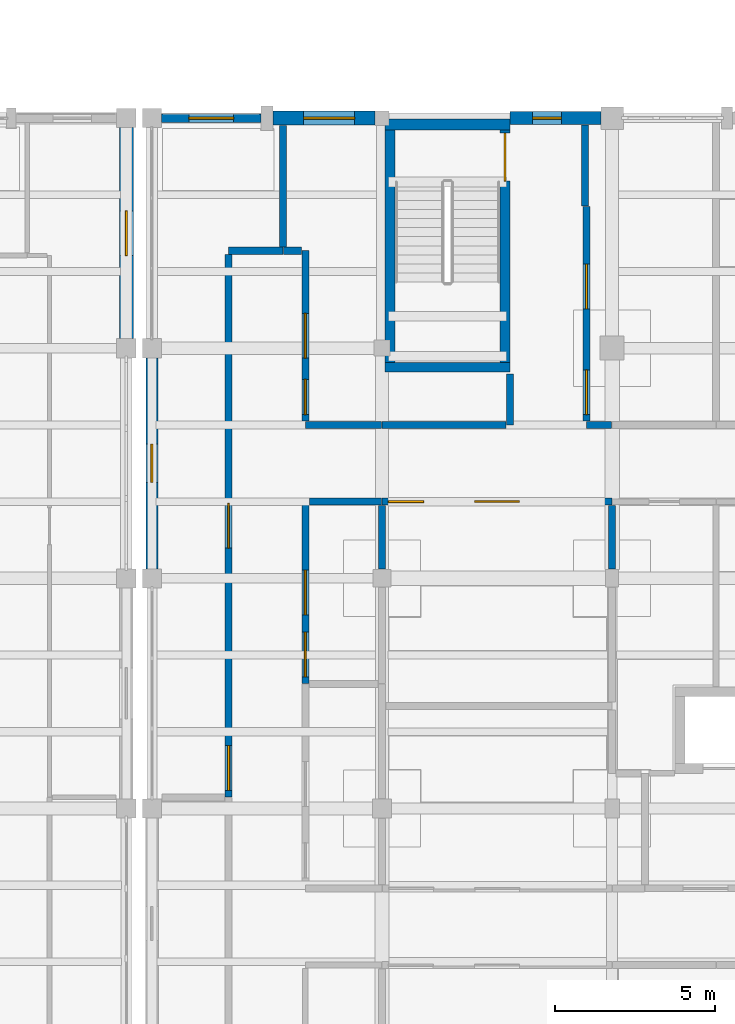
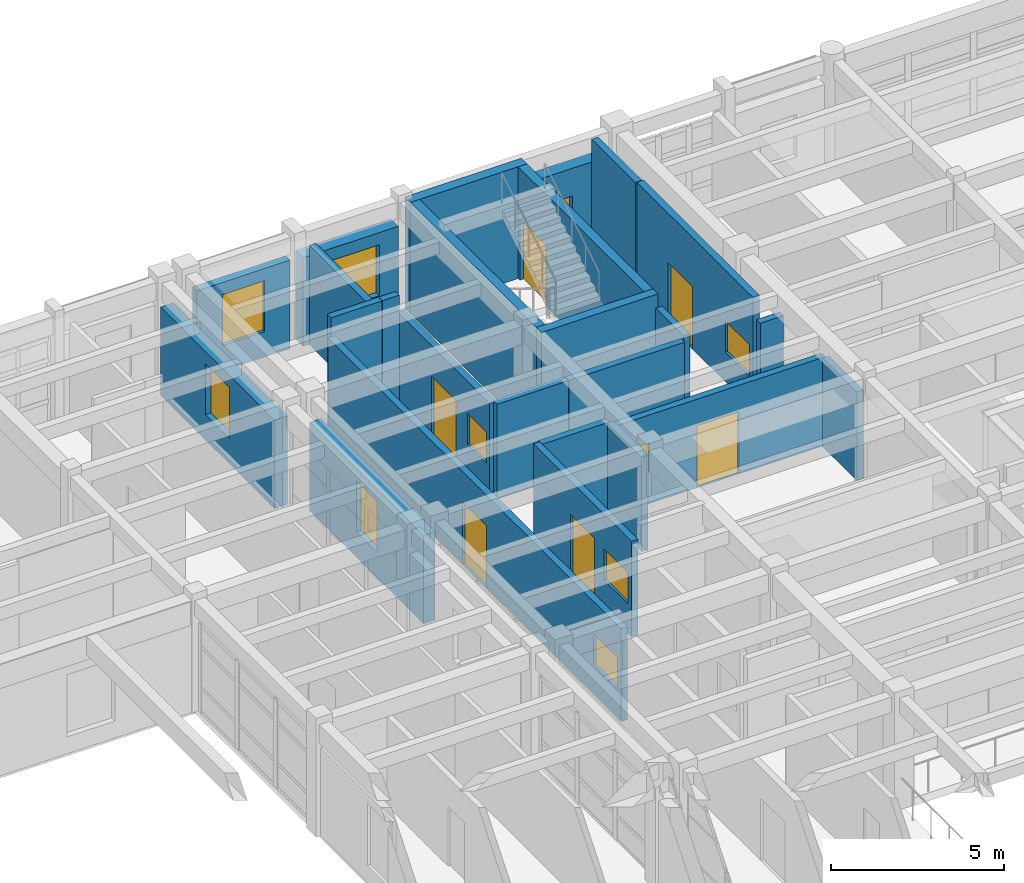
# One storey, part 91 of 110: 25 walls, 10 windows, 6 doors, 16 openings.
"""IFC4 building model written with IfcOpenShell, lengths in metres."""

from ifc_helpers import new_model, si_unit, direction, frame, frame_2d, origin, place, context, subcontext, project, spatial, rectangle, extrude, material, layer, layer_set, type_object, element, fill, save


model = new_model("IFC4")

# Units and contexts
model_context = context("Model", 3, precision=1e-05, world=origin(), true_north=direction((0.0, 1.0)))
body_context = subcontext(model_context, "Body", "Model", "MODEL_VIEW")
ifc_project = project(units=[si_unit("LENGTHUNIT", "METRE"), si_unit("AREAUNIT", "SQUARE_METRE"), si_unit("VOLUMEUNIT", "CUBIC_METRE"), si_unit("PLANEANGLEUNIT", "RADIAN"), si_unit("MASSUNIT", "GRAM", prefix="KILO")], contexts=[model_context])

# Site, building, storey
site_placement = place(None, origin())
site = spatial("IfcSite", under=ifc_project, at=site_placement, CompositionType="ELEMENT")
building_placement = place(site_placement, origin())
building = spatial("IfcBuilding", under=site, at=building_placement, Name="Steenspoor Specialist Clinic", CompositionType="ELEMENT")
storey_placement = place(building_placement, frame((0.0, 0.0, 4.800048828125)))
storey = spatial("IfcBuildingStorey", under=building, at=storey_placement, Name="L01", CompositionType="ELEMENT", Elevation=4.800048828125)

# Wall, opening, window
ifc_material_1 = material(Name="Extruded clay brick masonry", Category="masonry")
ifc_layer_1 = layer(ifc_material_1, 0.3798828125)
ifc_layer_set_1 = layer_set([ifc_layer_1], Name="Extruded clay brick masonry")
wall_type_1 = type_object("IfcWallType", Name="W-BRICK-380", PredefinedType="USERDEFINED", material=ifc_layer_set_1)
wall_1_placement = place(storey_placement, frame((118.0, 94.25, 0.0), z_axis=(0.0, 0.0, 1.0), x_axis=(0.0, 1.0, 0.0)))
wall_1 = element("IfcWall", 1, at=wall_1_placement, inside=storey, type_object=wall_type_1, Name="Exterior Brick Wall EW-V6-L01-0317", ObjectType="CAVITY VENEER", PredefinedType="USERDEFINED", context=body_context, shape_type="SweptSolid", body=[
    extrude(rectangle(XDim=6.60009765625, YDim=0.3798828125, at=frame_2d((3.300048828125, 0.0))), origin(), (0.0, 0.0, 1.0), 3.1298828125),
])
opening_1_placement = place(wall_1_placement, frame((2.699951171875, 0.0, 0.89990234375)))
opening_1 = element("IfcOpeningElement", 2, at=opening_1_placement, cuts=wall_1, Name="Opening WN-05", PredefinedType="OPENING", context=body_context, shape_type="SweptSolid", body=[
    extrude(rectangle(XDim=1.199951171875, YDim=1.800048828125, at=frame_2d((0.60009765625, 0.89990234375))), frame((0.0, 0.199951171875, 0.0), z_axis=(0.0, -1.0, 0.0), x_axis=(1.0, 0.0, 0.0)), (0.0, 0.0, 1.0), 0.39990234375),
])
ifc_material_2 = material(Name="Thermally broken aluminium and low-emissivity glass", Category="aluminium")
window_type_1 = type_object("IfcWindowType", Name="WN-EXT-120X180", PartitioningType="SINGLE_PANEL", PredefinedType="WINDOW", material=ifc_material_2)
window_1_placement = place(opening_1_placement, origin())
window_1 = element("IfcWindow", 3, at=window_1_placement, inside=storey, type_object=window_type_1, Name="Window 0340", OverallHeight=1.800048828125, OverallWidth=1.199951171875, PartitioningType="SINGLE_PANEL", PredefinedType="WINDOW", context=body_context, shape_type="SweptSolid", body=[
    extrude(rectangle(XDim=1.199951171875, YDim=1.800048828125, at=frame_2d((0.60009765625, 0.89990234375))), frame((0.0, 0.030029296875, 0.0), z_axis=(0.0, -1.0, 0.0), x_axis=(1.0, 0.0, 0.0)), (0.0, 0.0, 1.0), 0.06005859375),
])
fill(opening_1, window_1)

ifc_layer_2 = layer(ifc_material_1, 0.409912109375)
ifc_layer_set_2 = layer_set([ifc_layer_2], Name="Extruded clay brick masonry")
wall_type_2 = type_object("IfcWallType", Name="W-BRICK-410", PredefinedType="USERDEFINED", material=ifc_layer_set_2)
wall_2_placement = place(storey_placement, frame((129.199951171875, 108.35009765625, 0.0), z_axis=(0.0, 0.0, 1.0), x_axis=(1.0, 0.0, 0.0)))
wall_2 = element("IfcWall", 4, at=wall_2_placement, inside=storey, type_object=wall_type_2, Name="Exterior Brick Wall EW-V6-L01-0320", ObjectType="CAVITY VENEER", PredefinedType="USERDEFINED", context=body_context, shape_type="SweptSolid", body=[
    extrude(rectangle(XDim=2.85009765625, YDim=0.409912109375, at=frame_2d((1.425048828125, 0.0))), origin(), (0.0, 0.0, 1.0), 3.1298828125),
])
opening_2_placement = place(wall_2_placement, frame((0.715087890625, 0.0, 0.949951171875)))
opening_2 = element("IfcOpeningElement", 5, at=opening_2_placement, cuts=wall_2, Name="Opening WN-21", PredefinedType="OPENING", context=body_context, shape_type="SweptSolid", body=[
    extrude(rectangle(XDim=0.89990234375, YDim=1.199951171875, at=frame_2d((0.449951171875, 0.60009765625))), frame((0.0, 0.21484375, 0.0), z_axis=(0.0, -1.0, 0.0), x_axis=(1.0, 0.0, 0.0)), (0.0, 0.0, 1.0), 0.429931640625),
])
window_type_2 = type_object("IfcWindowType", Name="WN-EXT-090X120", PartitioningType="SINGLE_PANEL", PredefinedType="WINDOW", material=ifc_material_2)
window_2_placement = place(opening_2_placement, origin())
window_2 = element("IfcWindow", 6, at=window_2_placement, inside=storey, type_object=window_type_2, Name="Window 0343", OverallHeight=1.199951171875, OverallWidth=0.89990234375, PartitioningType="SINGLE_PANEL", PredefinedType="WINDOW", context=body_context, shape_type="SweptSolid", body=[
    extrude(rectangle(XDim=0.89990234375, YDim=1.199951171875, at=frame_2d((0.449951171875, 0.60009765625))), frame((0.0, 0.030029296875, 0.0), z_axis=(0.0, -1.0, 0.0), x_axis=(1.0, 0.0, 0.0)), (0.0, 0.0, 1.0), 0.06005859375),
])
fill(opening_2, window_2)

ifc_layer_3 = layer(ifc_material_1, 0.43994140625)
ifc_layer_set_3 = layer_set([ifc_layer_3], Name="Extruded clay brick masonry")
wall_type_3 = type_object("IfcWallType", Name="W-BRICK-440", PredefinedType="USERDEFINED", material=ifc_layer_set_3)
wall_3_placement = place(storey_placement, frame((117.199951171875, 108.050048828125, 0.0), z_axis=(0.0, 0.0, 1.0), x_axis=(0.0, -1.0, 0.0)))
wall_3 = element("IfcWall", 7, at=wall_3_placement, inside=storey, type_object=wall_type_3, Name="Exterior Brick Wall EW-V4-L01-0127", ObjectType="CAVITY VENEER", PredefinedType="USERDEFINED", context=body_context, shape_type="SweptSolid", body=[
    extrude(rectangle(XDim=6.60009765625, YDim=0.43994140625, at=frame_2d((3.300048828125, 0.0))), origin(), (0.0, 0.0, 1.0), 3.1298828125),
])
opening_3_placement = place(wall_3_placement, frame((2.60009765625, 0.0, 0.89990234375)))
opening_3 = element("IfcOpeningElement", 8, at=opening_3_placement, cuts=wall_3, Name="Opening WN-06", PredefinedType="OPENING", context=body_context, shape_type="SweptSolid", body=[
    extrude(rectangle(XDim=1.39990234375, YDim=1.800048828125, at=frame_2d((0.699951171875, 0.89990234375))), frame((0.0, 0.22998046875, 0.0), z_axis=(0.0, -1.0, 0.0), x_axis=(1.0, 0.0, 0.0)), (0.0, 0.0, 1.0), 0.4599609375),
])
window_type_3 = type_object("IfcWindowType", Name="WN-EXT-140X180", PartitioningType="SINGLE_PANEL", PredefinedType="WINDOW", material=ifc_material_2)
window_3_placement = place(opening_3_placement, origin())
window_3 = element("IfcWindow", 9, at=window_3_placement, inside=storey, type_object=window_type_3, Name="Window 0149", OverallHeight=1.800048828125, OverallWidth=1.39990234375, PartitioningType="SINGLE_PANEL", PredefinedType="WINDOW", context=body_context, shape_type="SweptSolid", body=[
    extrude(rectangle(XDim=1.39990234375, YDim=1.800048828125, at=frame_2d((0.699951171875, 0.89990234375))), frame((0.0, 0.030029296875, 0.0), z_axis=(0.0, -1.0, 0.0), x_axis=(1.0, 0.0, 0.0)), (0.0, 0.0, 1.0), 0.06005859375),
])
fill(opening_3, window_3)

wall_4_placement = place(storey_placement, frame((121.7900390625, 108.35009765625, 0.0), z_axis=(0.0, 0.0, 1.0), x_axis=(1.0, 0.0, 0.0)))
wall_4 = element("IfcWall", 10, at=wall_4_placement, inside=storey, type_object=wall_type_3, Name="Exterior Brick Wall EW-V6-L01-0319", ObjectType="CAVITY VENEER", PredefinedType="USERDEFINED", context=body_context, shape_type="SweptSolid", body=[
    extrude(rectangle(XDim=3.18505859375, YDim=0.43994140625, at=frame_2d((1.592529296875, 0.0))), origin(), (0.0, 0.0, 1.0), 3.1298828125),
])
opening_4_placement = place(wall_4_placement, frame((0.95751953125, 0.0, 0.89990234375)))
opening_4 = element("IfcOpeningElement", 11, at=opening_4_placement, cuts=wall_4, Name="Opening WN-07", PredefinedType="OPENING", context=body_context, shape_type="SweptSolid", body=[
    extrude(rectangle(XDim=1.60009765625, YDim=1.800048828125, at=frame_2d((0.800048828125, 0.89990234375))), frame((0.0, 0.22998046875, 0.0), z_axis=(0.0, -1.0, 0.0), x_axis=(1.0, 0.0, 0.0)), (0.0, 0.0, 1.0), 0.4599609375),
])
window_type_4 = type_object("IfcWindowType", Name="WN-EXT-160X180", PartitioningType="SINGLE_PANEL", PredefinedType="WINDOW", material=ifc_material_2)
window_4_placement = place(opening_4_placement, origin())
window_4 = element("IfcWindow", 12, at=window_4_placement, inside=storey, type_object=window_type_4, Name="Window 0342", OverallHeight=1.800048828125, OverallWidth=1.60009765625, PartitioningType="SINGLE_PANEL", PredefinedType="WINDOW", context=body_context, shape_type="SweptSolid", body=[
    extrude(rectangle(XDim=1.60009765625, YDim=1.800048828125, at=frame_2d((0.800048828125, 0.89990234375))), frame((0.0, 0.030029296875, 0.0), z_axis=(0.0, -1.0, 0.0), x_axis=(1.0, 0.0, 0.0)), (0.0, 0.0, 1.0), 0.06005859375),
])
fill(opening_4, window_4)

# Walls
ifc_material_3 = material(Name="Concrete C40/50", Category="concrete")
ifc_layer_4 = layer(ifc_material_3, 0.330078125)
ifc_layer_set_4 = layer_set([ifc_layer_4], Name="Concrete C40/50")
wall_type_4 = type_object("IfcWallType", Name="W-ESW-330", PredefinedType="SHEAR", material=ifc_layer_set_4)
wall_5_placement = place(storey_placement, frame((125.300048828125, 108.14990234375, 0.0), z_axis=(0.0, 0.0, 1.0), x_axis=(1.0, 0.0, 0.0)))
element("IfcWall", 13, at=wall_5_placement, inside=storey, type_object=wall_type_4, Name="Core Shear Wall SW-ST-V6A-L01-N", PredefinedType="SHEAR", context=body_context, shape_type="SweptSolid", body=[
    extrude(rectangle(XDim=3.89990234375, YDim=0.330078125, at=frame_2d((1.949951171875, 0.0))), origin(), (0.0, 0.0, 1.0), 3.949951171875),
])
ifc_material_4 = material(Name="Fire-rated clay blockwork masonry", Category="masonry")
ifc_layer_5 = layer(ifc_material_4, 0.219970703125)
ifc_layer_set_5 = layer_set([ifc_layer_5], Name="Fire-rated clay blockwork masonry")
wall_type_5 = type_object("IfcWallType", Name="W-FIRE-220", PredefinedType="PARTITIONING", material=ifc_layer_set_5)
wall_6_placement = place(storey_placement, frame((120.39990234375, 104.199951171875, 0.0), z_axis=(0.0, 0.0, 1.0), x_axis=(1.0, 0.0, 0.0)))
element("IfcWall", 14, at=wall_6_placement, inside=storey, type_object=wall_type_5, Name="Interior Partition IW-V6-L01-0720", PredefinedType="PARTITIONING", context=body_context, shape_type="SweptSolid", body=[
    extrude(rectangle(XDim=1.7001953125, YDim=0.219970703125, at=frame_2d((0.85009765625, 0.0))), origin(), (0.0, 0.0, 1.0), 3.949951171875),
])

# Wall, openings, door, window
wall_7_placement = place(storey_placement, frame((120.39990234375, 87.114990234375, 0.0), z_axis=(0.0, 0.0, 1.0), x_axis=(0.0, 1.0, 0.0)))
wall_7 = element("IfcWall", 15, at=wall_7_placement, inside=storey, type_object=wall_type_5, Name="Interior Partition IW-V6-L01-0721", PredefinedType="PARTITIONING", context=body_context, shape_type="SweptSolid", body=[
    extrude(rectangle(XDim=16.9599609375, YDim=0.219970703125, at=frame_2d((8.47998046875, 0.0))), origin(), (0.0, 0.0, 1.0), 3.284912109375),
])
opening_5_placement = place(wall_7_placement, frame((7.780029296875, 0.0, 0.0)))
opening_5 = element("IfcOpeningElement", 16, at=opening_5_placement, cuts=wall_7, Name="Opening D0445", PredefinedType="OPENING", context=body_context, shape_type="SweptSolid", body=[
    extrude(rectangle(XDim=1.39990234375, YDim=2.199951171875, at=frame_2d((0.699951171875, 1.10009765625))), frame((0.0, 0.1201171875, 0.0), z_axis=(0.0, -1.0, 0.0), x_axis=(1.0, 0.0, 0.0)), (0.0, 0.0, 1.0), 0.239990234375),
])
opening_6_placement = place(wall_7_placement, frame((0.199951171875, 0.0, 1.050048828125)))
opening_6 = element("IfcOpeningElement", 17, at=opening_6_placement, cuts=wall_7, Name="Opening IWN-01", PredefinedType="OPENING", context=body_context, shape_type="SweptSolid", body=[
    extrude(rectangle(XDim=1.39990234375, YDim=1.10009765625, at=frame_2d((0.699951171875, 0.550048828125))), frame((0.0, 0.1201171875, 0.0), z_axis=(0.0, -1.0, 0.0), x_axis=(1.0, 0.0, 0.0)), (0.0, 0.0, 1.0), 0.239990234375),
])
ifc_material_5 = material(Name="Fire-rated clinical laminate door", Category="steel")
door_type_1 = type_object("IfcDoorType", Name="DT-LAB-140X220", OperationType="NOTDEFINED", PredefinedType="DOOR", material=ifc_material_5)
door_1_placement = place(opening_5_placement, origin())
door_1 = element("IfcDoor", 18, at=door_1_placement, inside=storey, type_object=door_type_1, Name="Clinical Door D0445", OperationType="SINGLE_SWING_RIGHT", OverallHeight=2.199951171875, OverallWidth=1.39990234375, PredefinedType="DOOR", context=body_context, shape_type="SweptSolid", body=[
    extrude(rectangle(XDim=1.39990234375, YDim=2.199951171875, at=frame_2d((0.699951171875, 1.10009765625))), frame((0.0, 0.02490234375, 0.0), z_axis=(0.0, -1.0, 0.0), x_axis=(1.0, 0.0, 0.0)), (0.0, 0.0, 1.0), 0.050048828125),
])
fill(opening_5, door_1)
window_type_5 = type_object("IfcWindowType", Name="IWND-OBS-140X110", PartitioningType="SINGLE_PANEL", PredefinedType="WINDOW", material=ifc_material_2)
window_5_placement = place(opening_6_placement, origin())
window_5 = element("IfcWindow", 19, at=window_5_placement, inside=storey, type_object=window_type_5, Name="Observation Window 017", OverallHeight=1.10009765625, OverallWidth=1.39990234375, PartitioningType="SINGLE_PANEL", PredefinedType="WINDOW", context=body_context, shape_type="SweptSolid", body=[
    extrude(rectangle(XDim=1.39990234375, YDim=1.10009765625, at=frame_2d((0.699951171875, 0.550048828125))), frame((0.0, 0.030029296875, 0.0), z_axis=(0.0, -1.0, 0.0), x_axis=(1.0, 0.0, 0.0)), (0.0, 0.0, 1.0), 0.06005859375),
])
fill(opening_6, window_5)

wall_8_placement = place(storey_placement, frame((125.199951171875, 96.35009765625, 0.0), z_axis=(0.0, 0.0, 1.0), x_axis=(1.0, 0.0, 0.0)))
wall_8 = element("IfcWall", 20, at=wall_8_placement, inside=storey, type_object=wall_type_5, Name="Interior Partition IW-V6-L01-0722", PredefinedType="PARTITIONING", context=body_context, shape_type="SweptSolid", body=[
    extrude(rectangle(XDim=7.199951171875, YDim=0.219970703125, at=frame_2d((3.60009765625, 0.0))), origin(), (0.0, 0.0, 1.0), 3.135009765625),
])
opening_7_placement = place(wall_8_placement, frame((2.89990234375, 0.0, 0.0)))
opening_7 = element("IfcOpeningElement", 21, at=opening_7_placement, cuts=wall_8, Name="Opening D0447", PredefinedType="OPENING", context=body_context, shape_type="SweptSolid", body=[
    extrude(rectangle(XDim=1.39990234375, YDim=2.199951171875, at=frame_2d((0.699951171875, 1.10009765625))), frame((0.0, 0.1201171875, 0.0), z_axis=(0.0, -1.0, 0.0), x_axis=(1.0, 0.0, 0.0)), (0.0, 0.0, 1.0), 0.239990234375),
])
opening_8_placement = place(wall_8_placement, frame((0.199951171875, 0.0, 1.050048828125)))
opening_8 = element("IfcOpeningElement", 22, at=opening_8_placement, cuts=wall_8, Name="Opening IWN-02", PredefinedType="OPENING", context=body_context, shape_type="SweptSolid", body=[
    extrude(rectangle(XDim=1.10009765625, YDim=1.10009765625, at=frame_2d((0.550048828125, 0.550048828125))), frame((0.0, 0.1201171875, 0.0), z_axis=(0.0, -1.0, 0.0), x_axis=(1.0, 0.0, 0.0)), (0.0, 0.0, 1.0), 0.239990234375),
])
door_2_placement = place(opening_7_placement, origin())
door_2 = element("IfcDoor", 23, at=door_2_placement, inside=storey, type_object=door_type_1, Name="Clinical Door D0447", OperationType="SINGLE_SWING_RIGHT", OverallHeight=2.199951171875, OverallWidth=1.39990234375, PredefinedType="DOOR", context=body_context, shape_type="SweptSolid", body=[
    extrude(rectangle(XDim=1.39990234375, YDim=2.199951171875, at=frame_2d((0.699951171875, 1.10009765625))), frame((0.0, 0.02490234375, 0.0), z_axis=(0.0, -1.0, 0.0), x_axis=(1.0, 0.0, 0.0)), (0.0, 0.0, 1.0), 0.050048828125),
])
fill(opening_7, door_2)
window_type_6 = type_object("IfcWindowType", Name="IWND-OBS-110X110", PartitioningType="SINGLE_PANEL", PredefinedType="WINDOW", material=ifc_material_2)
window_6_placement = place(opening_8_placement, origin())
window_6 = element("IfcWindow", 24, at=window_6_placement, inside=storey, type_object=window_type_6, Name="Observation Window 018", OverallHeight=1.10009765625, OverallWidth=1.10009765625, PartitioningType="SINGLE_PANEL", PredefinedType="WINDOW", context=body_context, shape_type="SweptSolid", body=[
    extrude(rectangle(XDim=1.10009765625, YDim=1.10009765625, at=frame_2d((0.550048828125, 0.550048828125))), frame((0.0, 0.030029296875, 0.0), z_axis=(0.0, -1.0, 0.0), x_axis=(1.0, 0.0, 0.0)), (0.0, 0.0, 1.0), 0.06005859375),
])
fill(opening_8, window_6)

wall_9_placement = place(storey_placement, frame((122.800048828125, 90.6650390625, 0.0), z_axis=(0.0, 0.0, 1.0), x_axis=(0.0, 1.0, 0.0)))
wall_9 = element("IfcWall", 25, at=wall_9_placement, inside=storey, type_object=wall_type_5, Name="Interior Partition IW-V6-L01-0723", PredefinedType="PARTITIONING", context=body_context, shape_type="SweptSolid", body=[
    extrude(rectangle(XDim=5.68505859375, YDim=0.219970703125, at=frame_2d((2.842529296875, 0.0))), origin(), (0.0, 0.0, 1.0), 3.385009765625),
])
opening_9_placement = place(wall_9_placement, frame((2.142578125, 0.0, 0.0)))
opening_9 = element("IfcOpeningElement", 26, at=opening_9_placement, cuts=wall_9, Name="Opening D0448", PredefinedType="OPENING", context=body_context, shape_type="SweptSolid", body=[
    extrude(rectangle(XDim=1.39990234375, YDim=2.199951171875, at=frame_2d((0.699951171875, 1.10009765625))), frame((0.0, 0.1201171875, 0.0), z_axis=(0.0, -1.0, 0.0), x_axis=(1.0, 0.0, 0.0)), (0.0, 0.0, 1.0), 0.239990234375),
])
opening_10_placement = place(wall_9_placement, frame((0.199951171875, 0.0, 1.050048828125)))
opening_10 = element("IfcOpeningElement", 27, at=opening_10_placement, cuts=wall_9, Name="Opening IWN-01", PredefinedType="OPENING", context=body_context, shape_type="SweptSolid", body=[
    extrude(rectangle(XDim=1.39990234375, YDim=1.10009765625, at=frame_2d((0.699951171875, 0.550048828125))), frame((0.0, 0.1201171875, 0.0), z_axis=(0.0, -1.0, 0.0), x_axis=(1.0, 0.0, 0.0)), (0.0, 0.0, 1.0), 0.239990234375),
])
door_3_placement = place(opening_9_placement, origin())
door_3 = element("IfcDoor", 28, at=door_3_placement, inside=storey, type_object=door_type_1, Name="Clinical Door D0448", OperationType="SINGLE_SWING_LEFT", OverallHeight=2.199951171875, OverallWidth=1.39990234375, PredefinedType="DOOR", context=body_context, shape_type="SweptSolid", body=[
    extrude(rectangle(XDim=1.39990234375, YDim=2.199951171875, at=frame_2d((0.699951171875, 1.10009765625))), frame((0.0, 0.02490234375, 0.0), z_axis=(0.0, -1.0, 0.0), x_axis=(1.0, 0.0, 0.0)), (0.0, 0.0, 1.0), 0.050048828125),
])
fill(opening_9, door_3)
window_7_placement = place(opening_10_placement, origin())
window_7 = element("IfcWindow", 29, at=window_7_placement, inside=storey, type_object=window_type_5, Name="Observation Window 019", OverallHeight=1.10009765625, OverallWidth=1.39990234375, PartitioningType="SINGLE_PANEL", PredefinedType="WINDOW", context=body_context, shape_type="SweptSolid", body=[
    extrude(rectangle(XDim=1.39990234375, YDim=1.10009765625, at=frame_2d((0.699951171875, 0.550048828125))), frame((0.0, 0.030029296875, 0.0), z_axis=(0.0, -1.0, 0.0), x_axis=(1.0, 0.0, 0.0)), (0.0, 0.0, 1.0), 0.06005859375),
])
fill(opening_10, window_7)

# Walls
wall_10_placement = place(storey_placement, frame((122.925048828125, 96.35009765625, 0.0), z_axis=(0.0, 0.0, 1.0), x_axis=(1.0, 0.0, 0.0)))
element("IfcWall", 30, at=wall_10_placement, inside=storey, type_object=wall_type_5, Name="Interior Partition IW-V6-L01-0724", PredefinedType="PARTITIONING", context=body_context, shape_type="SweptSolid", body=[
    extrude(rectangle(XDim=2.260009765625, YDim=0.219970703125, at=frame_2d((1.1298828125, 0.0))), origin(), (0.0, 0.0, 1.0), 3.35498046875),
])
wall_11_placement = place(storey_placement, frame((129.199951171875, 98.75, 0.0), z_axis=(0.0, 0.0, 1.0), x_axis=(0.0, 1.0, 0.0)))
element("IfcWall", 31, at=wall_11_placement, inside=storey, type_object=wall_type_5, Name="Interior Partition IW-V6-L01-0725", PredefinedType="PARTITIONING", context=body_context, shape_type="SweptSolid", body=[
    extrude(rectangle(XDim=1.60009765625, YDim=0.219970703125, at=frame_2d((0.800048828125, 0.0))), origin(), (0.0, 0.0, 1.0), 3.514892578125),
])
wall_12_placement = place(storey_placement, frame((125.199951171875, 98.75, 0.0), z_axis=(0.0, 0.0, 1.0), x_axis=(1.0, 0.0, 0.0)))
element("IfcWall", 32, at=wall_12_placement, inside=storey, type_object=wall_type_5, Name="Interior Partition IW-V6-L01-0726", PredefinedType="PARTITIONING", context=body_context, shape_type="SweptSolid", body=[
    extrude(rectangle(XDim=3.875, YDim=0.219970703125, at=frame_2d((1.9375, 0.0))), origin(), (0.0, 0.0, 1.0), 3.35498046875),
])
wall_13_placement = place(storey_placement, frame((122.800048828125, 98.75, 0.0), z_axis=(0.0, 0.0, 1.0), x_axis=(1.0, 0.0, 0.0)))
element("IfcWall", 33, at=wall_13_placement, inside=storey, type_object=wall_type_5, Name="Interior Partition IW-V6-L01-0727", PredefinedType="PARTITIONING", context=body_context, shape_type="SweptSolid", body=[
    extrude(rectangle(XDim=2.385009765625, YDim=0.219970703125, at=frame_2d((1.1923828125, 0.0))), origin(), (0.0, 0.0, 1.0), 3.35498046875),
])

# Wall, openings, door, window
wall_14_placement = place(storey_placement, frame((122.800048828125, 98.875, 0.0), z_axis=(0.0, 0.0, 1.0), x_axis=(0.0, 1.0, 0.0)))
wall_14 = element("IfcWall", 34, at=wall_14_placement, inside=storey, type_object=wall_type_5, Name="Interior Partition IW-V6-L01-0728", PredefinedType="PARTITIONING", context=body_context, shape_type="SweptSolid", body=[
    extrude(rectangle(XDim=5.324951171875, YDim=0.219970703125, at=frame_2d((2.66259765625, 0.0))), origin(), (0.0, 0.0, 1.0), 3.284912109375),
])
opening_11_placement = place(wall_14_placement, frame((1.96240234375, 0.0, 0.0)))
opening_11 = element("IfcOpeningElement", 35, at=opening_11_placement, cuts=wall_14, Name="Opening D0451", PredefinedType="OPENING", context=body_context, shape_type="SweptSolid", body=[
    extrude(rectangle(XDim=1.39990234375, YDim=2.199951171875, at=frame_2d((0.699951171875, 1.10009765625))), frame((0.0, 0.1201171875, 0.0), z_axis=(0.0, -1.0, 0.0), x_axis=(1.0, 0.0, 0.0)), (0.0, 0.0, 1.0), 0.239990234375),
])
opening_12_placement = place(wall_14_placement, frame((0.199951171875, 0.0, 1.050048828125)))
opening_12 = element("IfcOpeningElement", 36, at=opening_12_placement, cuts=wall_14, Name="Opening IWN-02", PredefinedType="OPENING", context=body_context, shape_type="SweptSolid", body=[
    extrude(rectangle(XDim=1.10009765625, YDim=1.10009765625, at=frame_2d((0.550048828125, 0.550048828125))), frame((0.0, 0.1201171875, 0.0), z_axis=(0.0, -1.0, 0.0), x_axis=(1.0, 0.0, 0.0)), (0.0, 0.0, 1.0), 0.239990234375),
])
door_4_placement = place(opening_11_placement, origin())
door_4 = element("IfcDoor", 37, at=door_4_placement, inside=storey, type_object=door_type_1, Name="Clinical Door D0451", OperationType="SINGLE_SWING_RIGHT", OverallHeight=2.199951171875, OverallWidth=1.39990234375, PredefinedType="DOOR", context=body_context, shape_type="SweptSolid", body=[
    extrude(rectangle(XDim=1.39990234375, YDim=2.199951171875, at=frame_2d((0.699951171875, 1.10009765625))), frame((0.0, 0.02490234375, 0.0), z_axis=(0.0, -1.0, 0.0), x_axis=(1.0, 0.0, 0.0)), (0.0, 0.0, 1.0), 0.050048828125),
])
fill(opening_11, door_4)
window_8_placement = place(opening_12_placement, origin())
window_8 = element("IfcWindow", 38, at=window_8_placement, inside=storey, type_object=window_type_6, Name="Observation Window 020", OverallHeight=1.10009765625, OverallWidth=1.10009765625, PartitioningType="SINGLE_PANEL", PredefinedType="WINDOW", context=body_context, shape_type="SweptSolid", body=[
    extrude(rectangle(XDim=1.10009765625, YDim=1.10009765625, at=frame_2d((0.550048828125, 0.550048828125))), frame((0.0, 0.030029296875, 0.0), z_axis=(0.0, -1.0, 0.0), x_axis=(1.0, 0.0, 0.0)), (0.0, 0.0, 1.0), 0.06005859375),
])
fill(opening_12, window_8)

# Walls
wall_15_placement = place(storey_placement, frame((122.114990234375, 104.199951171875, 0.0), z_axis=(0.0, 0.0, 1.0), x_axis=(1.0, 0.0, 0.0)))
element("IfcWall", 39, at=wall_15_placement, inside=storey, type_object=wall_type_5, Name="Interior Partition IW-V6-L01-0729", PredefinedType="PARTITIONING", context=body_context, shape_type="SweptSolid", body=[
    extrude(rectangle(XDim=0.56005859375, YDim=0.219970703125, at=frame_2d((0.280029296875, 0.0))), origin(), (0.0, 0.0, 1.0), 3.949951171875),
])
wall_16_placement = place(storey_placement, frame((131.550048828125, 105.60009765625, 0.0), z_axis=(0.0, 0.0, 1.0), x_axis=(0.0, 1.0, 0.0)))
element("IfcWall", 40, at=wall_16_placement, inside=storey, type_object=wall_type_5, Name="Interior Partition IW-V6-L01-0730", PredefinedType="PARTITIONING", context=body_context, shape_type="SweptSolid", body=[
    extrude(rectangle(XDim=2.52978515625, YDim=0.219970703125, at=frame_2d((1.264892578125, 0.0))), origin(), (0.0, 0.0, 1.0), 3.949951171875),
])
wall_17_placement = place(storey_placement, frame((131.60009765625, 98.75, 0.0), z_axis=(0.0, 0.0, 1.0), x_axis=(1.0, 0.0, 0.0)))
element("IfcWall", 41, at=wall_17_placement, inside=storey, type_object=wall_type_5, Name="Interior Partition IW-V6-L01-0732", PredefinedType="PARTITIONING", context=body_context, shape_type="SweptSolid", body=[
    extrude(rectangle(XDim=0.784912109375, YDim=0.219970703125, at=frame_2d((0.392578125, 0.0))), origin(), (0.0, 0.0, 1.0), 3.135009765625),
])

# Wall, openings, door, window
wall_18_placement = place(storey_placement, frame((131.60009765625, 98.875, 0.0), z_axis=(0.0, 0.0, 1.0), x_axis=(0.0, 1.0, 0.0)))
wall_18 = element("IfcWall", 42, at=wall_18_placement, inside=storey, type_object=wall_type_5, Name="Interior Partition IW-V6-L01-0733", PredefinedType="PARTITIONING", context=body_context, shape_type="SweptSolid", body=[
    extrude(rectangle(XDim=6.7099609375, YDim=0.219970703125, at=frame_2d((3.35498046875, 0.0))), origin(), (0.0, 0.0, 1.0), 3.949951171875),
])
opening_13_placement = place(wall_18_placement, frame((3.504638671875, 0.0, 0.0)))
opening_13 = element("IfcOpeningElement", 43, at=opening_13_placement, cuts=wall_18, Name="Opening D0452", PredefinedType="OPENING", context=body_context, shape_type="SweptSolid", body=[
    extrude(rectangle(XDim=1.39990234375, YDim=2.199951171875, at=frame_2d((0.699951171875, 1.10009765625))), frame((0.0, 0.1201171875, 0.0), z_axis=(0.0, -1.0, 0.0), x_axis=(1.0, 0.0, 0.0)), (0.0, 0.0, 1.0), 0.239990234375),
])
opening_14_placement = place(wall_18_placement, frame((0.199951171875, 0.0, 1.050048828125)))
opening_14 = element("IfcOpeningElement", 44, at=opening_14_placement, cuts=wall_18, Name="Opening IWN-01", PredefinedType="OPENING", context=body_context, shape_type="SweptSolid", body=[
    extrude(rectangle(XDim=1.39990234375, YDim=1.10009765625, at=frame_2d((0.699951171875, 0.550048828125))), frame((0.0, 0.1201171875, 0.0), z_axis=(0.0, -1.0, 0.0), x_axis=(1.0, 0.0, 0.0)), (0.0, 0.0, 1.0), 0.239990234375),
])
door_5_placement = place(opening_13_placement, origin())
door_5 = element("IfcDoor", 45, at=door_5_placement, inside=storey, type_object=door_type_1, Name="Clinical Door D0452", OperationType="SINGLE_SWING_LEFT", OverallHeight=2.199951171875, OverallWidth=1.39990234375, PredefinedType="DOOR", context=body_context, shape_type="SweptSolid", body=[
    extrude(rectangle(XDim=1.39990234375, YDim=2.199951171875, at=frame_2d((0.699951171875, 1.10009765625))), frame((0.0, 0.02490234375, 0.0), z_axis=(0.0, -1.0, 0.0), x_axis=(1.0, 0.0, 0.0)), (0.0, 0.0, 1.0), 0.050048828125),
])
fill(opening_13, door_5)
window_9_placement = place(opening_14_placement, origin())
window_9 = element("IfcWindow", 46, at=window_9_placement, inside=storey, type_object=window_type_5, Name="Observation Window 021", OverallHeight=1.10009765625, OverallWidth=1.39990234375, PartitioningType="SINGLE_PANEL", PredefinedType="WINDOW", context=body_context, shape_type="SweptSolid", body=[
    extrude(rectangle(XDim=1.39990234375, YDim=1.10009765625, at=frame_2d((0.699951171875, 0.550048828125))), frame((0.0, 0.030029296875, 0.0), z_axis=(0.0, -1.0, 0.0), x_axis=(1.0, 0.0, 0.0)), (0.0, 0.0, 1.0), 0.06005859375),
])
fill(opening_14, window_9)

# Walls
wall_19_placement = place(storey_placement, frame((122.10009765625, 104.324951171875, 0.0), z_axis=(0.0, 0.0, 1.0), x_axis=(0.0, 1.0, 0.0)))
element("IfcWall", 47, at=wall_19_placement, inside=storey, type_object=wall_type_5, Name="Interior Partition IW-V6-L01-1063", PredefinedType="PARTITIONING", context=body_context, shape_type="SweptSolid", body=[
    extrude(rectangle(XDim=3.7900390625, YDim=0.219970703125, at=frame_2d((1.89501953125, 0.0))), origin(), (0.0, 0.0, 1.0), 3.514892578125),
])
wall_20_placement = place(storey_placement, frame((132.39990234375, 94.239990234375, 0.0), z_axis=(0.0, 0.0, 1.0), x_axis=(0.0, 1.0, 0.0)))
element("IfcWall", 48, at=wall_20_placement, inside=storey, type_object=wall_type_5, Name="Interior Partition IW-V6-L01-1065", PredefinedType="PARTITIONING", context=body_context, shape_type="SweptSolid", body=[
    extrude(rectangle(XDim=1.985107421875, YDim=0.219970703125, at=frame_2d((0.99267578125, 0.0))), origin(), (0.0, 0.0, 1.0), 3.135009765625),
])
wall_21_placement = place(storey_placement, frame((125.199951171875, 94.239990234375, 0.0), z_axis=(0.0, 0.0, 1.0), x_axis=(0.0, 1.0, 0.0)))
element("IfcWall", 49, at=wall_21_placement, inside=storey, type_object=wall_type_5, Name="Interior Partition IW-V6-L01-1067", PredefinedType="PARTITIONING", context=body_context, shape_type="SweptSolid", body=[
    extrude(rectangle(XDim=1.985107421875, YDim=0.219970703125, at=frame_2d((0.99267578125, 0.0))), origin(), (0.0, 0.0, 1.0), 3.35498046875),
])

# Wall, opening, window
ifc_layer_6 = layer(ifc_material_1, 0.260009765625)
ifc_layer_set_6 = layer_set([ifc_layer_6], Name="Extruded clay brick masonry")
wall_type_6 = type_object("IfcWallType", Name="W-SCREEN-260", PredefinedType="SOLIDWALL", material=ifc_layer_set_6)
wall_22_placement = place(storey_placement, frame((118.300048828125, 108.35009765625, 0.0), z_axis=(0.0, 0.0, 1.0), x_axis=(1.0, 0.0, 0.0)))
wall_22 = element("IfcWall", 50, at=wall_22_placement, inside=storey, type_object=wall_type_6, Name="Exterior Brick Wall EW-V6-L01-0318", PredefinedType="SOLIDWALL", context=body_context, shape_type="SweptSolid", body=[
    extrude(rectangle(XDim=3.10986328125, YDim=0.260009765625, at=frame_2d((1.554931640625, 0.0))), origin(), (0.0, 0.0, 1.0), 3.1298828125),
])
opening_15_placement = place(wall_22_placement, frame((0.85498046875, 0.0, 0.89990234375)))
opening_15 = element("IfcOpeningElement", 51, at=opening_15_placement, cuts=wall_22, Name="Opening WN-06", PredefinedType="OPENING", context=body_context, shape_type="SweptSolid", body=[
    extrude(rectangle(XDim=1.39990234375, YDim=1.800048828125, at=frame_2d((0.699951171875, 0.89990234375))), frame((0.0, 0.14013671875, 0.0), z_axis=(0.0, -1.0, 0.0), x_axis=(1.0, 0.0, 0.0)), (0.0, 0.0, 1.0), 0.280029296875),
])
window_10_placement = place(opening_15_placement, origin())
window_10 = element("IfcWindow", 52, at=window_10_placement, inside=storey, type_object=window_type_3, Name="Window 0341", OverallHeight=1.800048828125, OverallWidth=1.39990234375, PartitioningType="SINGLE_PANEL", PredefinedType="WINDOW", context=body_context, shape_type="SweptSolid", body=[
    extrude(rectangle(XDim=1.39990234375, YDim=1.800048828125, at=frame_2d((0.699951171875, 0.89990234375))), frame((0.0, 0.030029296875, 0.0), z_axis=(0.0, -1.0, 0.0), x_axis=(1.0, 0.0, 0.0)), (0.0, 0.0, 1.0), 0.06005859375),
])
fill(opening_15, window_10)

# Walls
ifc_layer_7 = layer(ifc_material_3, 0.300048828125)
ifc_layer_set_7 = layer_set([ifc_layer_7], Name="Concrete C40/50")
wall_type_7 = type_object("IfcWallType", Name="W-SW-300", PredefinedType="SHEAR", material=ifc_layer_set_7)
wall_23_placement = place(storey_placement, frame((125.300048828125, 100.550048828125, 0.0), z_axis=(0.0, 0.0, 1.0), x_axis=(1.0, 0.0, 0.0)))
element("IfcWall", 53, at=wall_23_placement, inside=storey, type_object=wall_type_7, Name="Core Shear Wall SW-ST-V6A-L01-S", PredefinedType="SHEAR", context=body_context, shape_type="SweptSolid", body=[
    extrude(rectangle(XDim=3.89990234375, YDim=0.300048828125, at=frame_2d((1.949951171875, 0.0))), origin(), (0.0, 0.0, 1.0), 3.949951171875),
])
wall_24_placement = place(storey_placement, frame((125.449951171875, 100.699951171875, 0.0), z_axis=(0.0, 0.0, 1.0), x_axis=(0.0, 1.0, 0.0)))
element("IfcWall", 54, at=wall_24_placement, inside=storey, type_object=wall_type_7, Name="Core Shear Wall SW-ST-V6A-L01-W", PredefinedType="SHEAR", context=body_context, shape_type="SweptSolid", body=[
    extrude(rectangle(XDim=7.300048828125, YDim=0.300048828125, at=frame_2d((3.64990234375, 0.0))), origin(), (0.0, 0.0, 1.0), 3.949951171875),
])

# Wall, opening, door
wall_25_placement = place(storey_placement, frame((129.050048828125, 100.699951171875, 0.0), z_axis=(0.0, 0.0, 1.0), x_axis=(0.0, 1.0, 0.0)))
wall_25 = element("IfcWall", 55, at=wall_25_placement, inside=storey, type_object=wall_type_7, Name="Core Shear Wall SW-ST-V6A-L01-E", PredefinedType="SHEAR", context=body_context, shape_type="SweptSolid", body=[
    extrude(rectangle(XDim=7.300048828125, YDim=0.300048828125, at=frame_2d((3.64990234375, 0.0))), origin(), (0.0, 0.0, 1.0), 3.949951171875),
])
opening_16_placement = place(wall_25_placement, frame((5.679931640625, 0.0, 0.0)))
opening_16 = element("IfcOpeningElement", 56, at=opening_16_placement, cuts=wall_25, Name="Opening SD036", PredefinedType="OPENING", context=body_context, shape_type="SweptSolid", body=[
    extrude(rectangle(XDim=1.5, YDim=2.14990234375, at=frame_2d((0.75, 1.074951171875))), frame((0.0, 0.16015625, 0.0), z_axis=(0.0, -1.0, 0.0), x_axis=(1.0, 0.0, 0.0)), (0.0, 0.0, 1.0), 0.320068359375),
])
ifc_material_6 = material(Name="Fire-rated steel acoustic door", Category="steel")
door_type_2 = type_object("IfcDoorType", Name="DT-STAIR-150X215", OperationType="NOTDEFINED", PredefinedType="DOOR", material=ifc_material_6)
door_6_placement = place(opening_16_placement, origin())
door_6 = element("IfcDoor", 57, at=door_6_placement, inside=storey, type_object=door_type_2, Name="Exit Stair Fire Door SD036", OperationType="SINGLE_SWING_LEFT", OverallHeight=2.14990234375, OverallWidth=1.5, PredefinedType="DOOR", context=body_context, shape_type="SweptSolid", body=[
    extrude(rectangle(XDim=1.5, YDim=2.14990234375, at=frame_2d((0.75, 1.074951171875))), frame((0.0, 0.02490234375, 0.0), z_axis=(0.0, -1.0, 0.0), x_axis=(1.0, 0.0, 0.0)), (0.0, 0.0, 1.0), 0.050048828125),
])
fill(opening_16, door_6)

save(model, "model.ifc")
